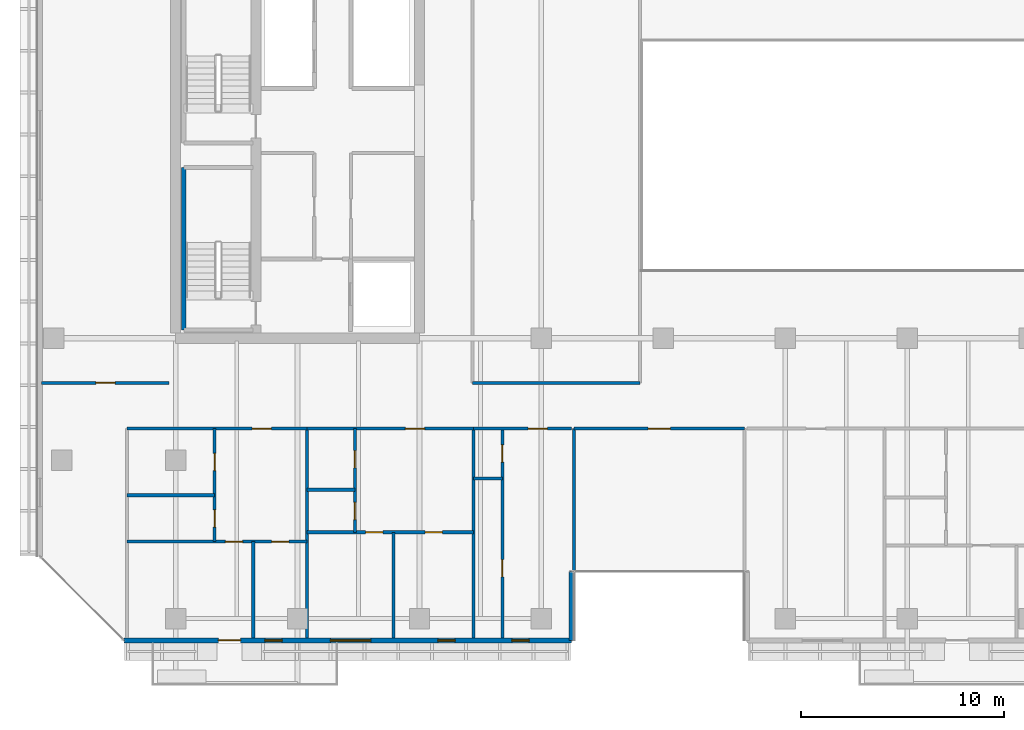
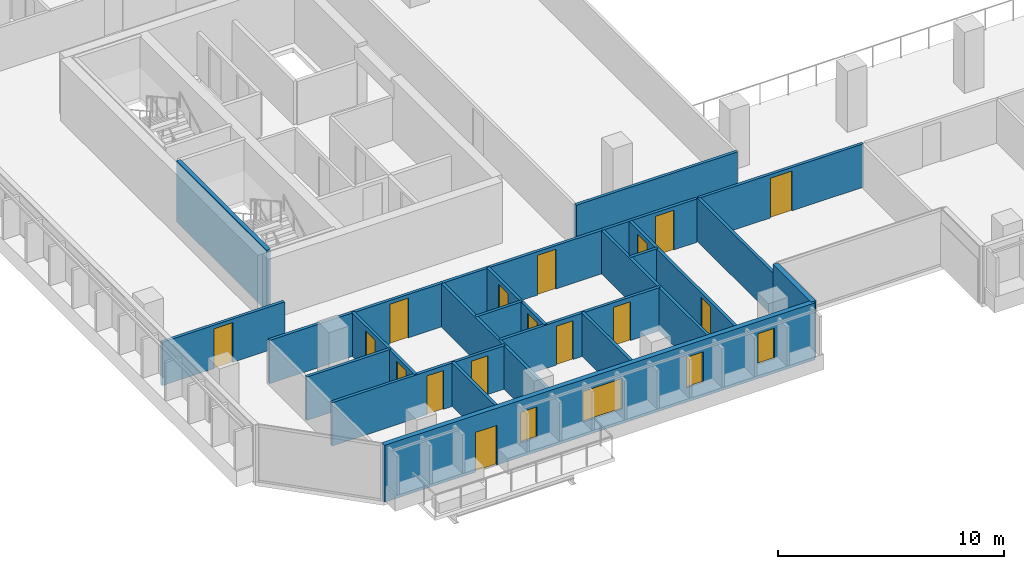
# One storey, part 23 of 35: 22 walls, 16 doors, 4 windows, 20 openings.
"""IFC4 building model written with IfcOpenShell, lengths in metres."""

from ifc_helpers import new_model, si_unit, direction, frame, frame_2d, origin, place, context, subcontext, project, spatial, rectangle, extrude, material, layer, layer_set, type_object, element, fill, save


model = new_model("IFC4")

# Units and contexts
model_context = context("Model", 3, precision=1e-05, world=origin(), true_north=direction((0.0, 1.0)))
body_context = subcontext(model_context, "Body", "Model", "MODEL_VIEW")
ifc_project = project(units=[si_unit("LENGTHUNIT", "METRE"), si_unit("AREAUNIT", "SQUARE_METRE"), si_unit("VOLUMEUNIT", "CUBIC_METRE"), si_unit("PLANEANGLEUNIT", "RADIAN"), si_unit("MASSUNIT", "GRAM", prefix="KILO")], contexts=[model_context])

# Site, building, storey
site_placement = place(None, origin())
site = spatial("IfcSite", under=ifc_project, at=site_placement, CompositionType="ELEMENT")
building_placement = place(site_placement, origin())
building = spatial("IfcBuilding", under=site, at=building_placement, Name="Tanjung Sevakor Pilgrim Tower", CompositionType="ELEMENT")
storey_placement = place(building_placement, frame((0.0, 0.0, 92.070068359375)))
storey = spatial("IfcBuildingStorey", under=building, at=storey_placement, Name="L25", CompositionType="ELEMENT", Elevation=92.070068359375)

# Wall
ifc_material_1 = material(Name="Concrete C40/50", Category="concrete")
ifc_layer_1 = layer(ifc_material_1, 0.14990234375)
ifc_layer_set_1 = layer_set([ifc_layer_1], Name="WT-COMP-150")
wall_type_1 = type_object("IfcWallType", Name="WT-COMP-150", PredefinedType="SOLIDWALL", material=ifc_layer_set_1)
wall_1_placement = place(storey_placement, frame((38.60009765625, 22.39990234375, 0.0), z_axis=(0.0, 0.0, 1.0), x_axis=(1.0, 0.0, 0.0)))
element("IfcWall", 1, at=wall_1_placement, inside=storey, type_object=wall_type_1, Name="L25 Partition IW-L25-021", PredefinedType="SOLIDWALL", context=body_context, shape_type="SweptSolid", body=[
    extrude(rectangle(XDim=8.25, YDim=0.14990234375, at=frame_2d((4.125, 0.0))), origin(), (0.0, 0.0, 1.0), 2.35009765625),
])

# Wall, opening, door
wall_2_placement = place(storey_placement, frame((17.409912109375, 22.39990234375, 0.0), z_axis=(0.0, 0.0, 1.0), x_axis=(1.0, 0.0, 0.0)))
wall_2 = element("IfcWall", 2, at=wall_2_placement, inside=storey, type_object=wall_type_1, Name="L25 Partition IW-L25-029", PredefinedType="SOLIDWALL", context=body_context, shape_type="SweptSolid", body=[
    extrude(rectangle(XDim=6.27001953125, YDim=0.14990234375, at=frame_2d((3.135009765625, 0.0))), origin(), (0.0, 0.0, 1.0), 2.35009765625),
])
opening_1_placement = place(wall_2_placement, frame((2.659912109375, 0.0, 0.0)))
opening_1 = element("IfcOpeningElement", 3, at=opening_1_placement, cuts=wall_2, Name="Opening ID-FD2", PredefinedType="OPENING", context=body_context, shape_type="SweptSolid", body=[
    extrude(rectangle(XDim=0.949951171875, YDim=2.14990234375, at=frame_2d((0.47509765625, 1.074951171875))), frame((0.0, 0.0849609375, 0.0), z_axis=(0.0, -1.0, 0.0), x_axis=(1.0, 0.0, 0.0)), (0.0, 0.0, 1.0), 0.169921875),
])
ifc_material_2 = material(Name="Fire-Rated Timber", Category="wood")
door_type_1 = type_object("IfcDoorType", Name="DT-FIRE-950", OperationType="NOTDEFINED", PredefinedType="DOOR", material=ifc_material_2)
door_1_placement = place(opening_1_placement, origin())
door_1 = element("IfcDoor", 4, at=door_1_placement, inside=storey, type_object=door_type_1, Name="Study Room Entrance", OperationType="SINGLE_SWING_LEFT", OverallHeight=2.14990234375, OverallWidth=0.949951171875, PredefinedType="DOOR", context=body_context, shape_type="SweptSolid", body=[
    extrude(rectangle(XDim=0.949951171875, YDim=2.14990234375, at=frame_2d((0.47509765625, 1.074951171875))), frame((0.0, 0.02490234375, 0.0), z_axis=(0.0, -1.0, 0.0), x_axis=(1.0, 0.0, 0.0)), (0.0, 0.0, 1.0), 0.050048828125),
])
fill(opening_1, door_1)

wall_3_placement = place(storey_placement, frame((43.60009765625, 20.14990234375, 0.0), z_axis=(0.0, 0.0, 1.0), x_axis=(1.0, 0.0, 0.0)))
wall_3 = element("IfcWall", 5, at=wall_3_placement, inside=storey, type_object=wall_type_1, Name="L25 Partition IW-L25-037", PredefinedType="SOLIDWALL", context=body_context, shape_type="SweptSolid", body=[
    extrude(rectangle(XDim=8.39990234375, YDim=0.14990234375, at=frame_2d((4.199951171875, 0.0))), origin(), (0.0, 0.0, 1.0), 2.35009765625),
])
opening_2_placement = place(wall_3_placement, frame((3.64990234375, 0.0, 0.0)))
opening_2 = element("IfcOpeningElement", 6, at=opening_2_placement, cuts=wall_3, Name="Opening ID-RM2", PredefinedType="OPENING", context=body_context, shape_type="SweptSolid", body=[
    extrude(rectangle(XDim=1.10009765625, YDim=2.14990234375, at=frame_2d((0.550048828125, 1.074951171875))), frame((0.0, 0.0849609375, 0.0), z_axis=(0.0, -1.0, 0.0), x_axis=(1.0, 0.0, 0.0)), (0.0, 0.0, 1.0), 0.169921875),
])
ifc_material_3 = material(Name="Hardwood Timber", Category="wood")
door_type_2 = type_object("IfcDoorType", Name="DT-INT-1100", OperationType="NOTDEFINED", PredefinedType="DOOR", material=ifc_material_3)
door_2_placement = place(opening_2_placement, origin())
door_2 = element("IfcDoor", 7, at=door_2_placement, inside=storey, type_object=door_type_2, Name="L25 South Cleft Observatory Door", OperationType="SINGLE_SWING_LEFT", OverallHeight=2.14990234375, OverallWidth=1.10009765625, PredefinedType="DOOR", context=body_context, shape_type="SweptSolid", body=[
    extrude(rectangle(XDim=1.10009765625, YDim=2.14990234375, at=frame_2d((0.550048828125, 1.074951171875))), frame((0.0, 0.02490234375, 0.0), z_axis=(0.0, -1.0, 0.0), x_axis=(1.0, 0.0, 0.0)), (0.0, 0.0, 1.0), 0.050048828125),
])
fill(opening_2, door_2)

# Walls
for number, where, z_axis, x_axis, name in (
    (8, (43.60009765625, 9.85009765625, 0.0), (0.0, 0.0, 1.0), (0.0, 1.0, 0.0), "L25 Partition IW-L25-038"),
    (9, (30.468017578125, 9.85009765625, 0.0), (0.0, 0.0, 1.0), (0.0, 1.0, 0.0), "L25 Partition IW-L25-044"),
):
    element("IfcWall", number, at=place(storey_placement, frame(where, z_axis=z_axis, x_axis=x_axis)), inside=storey, type_object=wall_type_1, Name=name, PredefinedType="SOLIDWALL", context=body_context, shape_type="SweptSolid", body=[
        extrude(rectangle(XDim=10.2998046875, YDim=0.14990234375, at=frame_2d((5.14990234375, 0.0))), origin(), (0.0, 0.0, 1.0), 2.35009765625),
    ])

# Wall, opening, door
wall_4_placement = place(storey_placement, frame((21.60009765625, 20.14990234375, 0.0), z_axis=(0.0, 0.0, 1.0), x_axis=(1.0, 0.0, 0.0)))
wall_4 = element("IfcWall", 10, at=wall_4_placement, inside=storey, type_object=wall_type_1, Name="L25 Partition IW-L25-049", PredefinedType="SOLIDWALL", context=body_context, shape_type="SweptSolid", body=[
    extrude(rectangle(XDim=8.867919921875, YDim=0.14990234375, at=frame_2d((4.43408203125, 0.0))), origin(), (0.0, 0.0, 1.0), 2.35009765625),
])
opening_3_placement = place(wall_4_placement, frame((6.158935546875, 0.0, 0.0)))
opening_3 = element("IfcOpeningElement", 11, at=opening_3_placement, cuts=wall_4, Name="Opening ID-FD2", PredefinedType="OPENING", context=body_context, shape_type="SweptSolid", body=[
    extrude(rectangle(XDim=0.949951171875, YDim=2.14990234375, at=frame_2d((0.47509765625, 1.074951171875))), frame((0.0, 0.0849609375, 0.0), z_axis=(0.0, -1.0, 0.0), x_axis=(1.0, 0.0, 0.0)), (0.0, 0.0, 1.0), 0.169921875),
])
door_3_placement = place(opening_3_placement, origin())
door_3 = element("IfcDoor", 12, at=door_3_placement, inside=storey, type_object=door_type_1, Name="Suite Entrance", OperationType="SINGLE_SWING_LEFT", OverallHeight=2.14990234375, OverallWidth=0.949951171875, PredefinedType="DOOR", context=body_context, shape_type="SweptSolid", body=[
    extrude(rectangle(XDim=0.949951171875, YDim=2.14990234375, at=frame_2d((0.47509765625, 1.074951171875))), frame((0.0, 0.02490234375, 0.0), z_axis=(0.0, -1.0, 0.0), x_axis=(1.0, 0.0, 0.0)), (0.0, 0.0, 1.0), 0.050048828125),
])
fill(opening_3, door_3)

# Wall
wall_5_placement = place(storey_placement, frame((38.667236328125, 9.85009765625, 0.0), z_axis=(0.0, 0.0, 1.0), x_axis=(0.0, 1.0, 0.0)))
element("IfcWall", 13, at=wall_5_placement, inside=storey, type_object=wall_type_1, Name="L25 Partition IW-L25-050", PredefinedType="SOLIDWALL", context=body_context, shape_type="SweptSolid", body=[
    extrude(rectangle(XDim=10.2998046875, YDim=0.14990234375, at=frame_2d((5.14990234375, 0.0))), origin(), (0.0, 0.0, 1.0), 2.35009765625),
])

# Wall, opening, door
wall_6_placement = place(storey_placement, frame((30.468017578125, 20.14990234375, 0.0), z_axis=(0.0, 0.0, 1.0), x_axis=(1.0, 0.0, 0.0)))
wall_6 = element("IfcWall", 14, at=wall_6_placement, inside=storey, type_object=wall_type_1, Name="L25 Partition IW-L25-055", PredefinedType="SOLIDWALL", context=body_context, shape_type="SweptSolid", body=[
    extrude(rectangle(XDim=8.19921875, YDim=0.14990234375, at=frame_2d((4.099609375, 0.0))), origin(), (0.0, 0.0, 1.0), 2.35009765625),
])
opening_4_placement = place(wall_6_placement, frame((4.839599609375, 0.0, 0.0)))
opening_4 = element("IfcOpeningElement", 15, at=opening_4_placement, cuts=wall_6, Name="Opening ID-FD2", PredefinedType="OPENING", context=body_context, shape_type="SweptSolid", body=[
    extrude(rectangle(XDim=0.949951171875, YDim=2.14990234375, at=frame_2d((0.47509765625, 1.074951171875))), frame((0.0, 0.0849609375, 0.0), z_axis=(0.0, -1.0, 0.0), x_axis=(1.0, 0.0, 0.0)), (0.0, 0.0, 1.0), 0.169921875),
])
door_4_placement = place(opening_4_placement, origin())
door_4 = element("IfcDoor", 16, at=door_4_placement, inside=storey, type_object=door_type_1, Name="Suite Entrance", OperationType="SINGLE_SWING_RIGHT", OverallHeight=2.14990234375, OverallWidth=0.949951171875, PredefinedType="DOOR", context=body_context, shape_type="SweptSolid", body=[
    extrude(rectangle(XDim=0.949951171875, YDim=2.14990234375, at=frame_2d((0.47509765625, 1.074951171875))), frame((0.0, 0.02490234375, 0.0), z_axis=(0.0, -1.0, 0.0), x_axis=(1.0, 0.0, 0.0)), (0.0, 0.0, 1.0), 0.050048828125),
])
fill(opening_4, door_4)

wall_7_placement = place(storey_placement, frame((38.667236328125, 20.14990234375, 0.0), z_axis=(0.0, 0.0, 1.0), x_axis=(1.0, 0.0, 0.0)))
wall_7 = element("IfcWall", 17, at=wall_7_placement, inside=storey, type_object=wall_type_1, Name="L25 Partition IW-L25-058", PredefinedType="SOLIDWALL", context=body_context, shape_type="SweptSolid", body=[
    extrude(rectangle(XDim=4.812744140625, YDim=0.14990234375, at=frame_2d((2.40625, 0.0))), origin(), (0.0, 0.0, 1.0), 2.35009765625),
])
opening_5_placement = place(wall_7_placement, frame((2.677734375, 0.0, 0.0)))
opening_5 = element("IfcOpeningElement", 18, at=opening_5_placement, cuts=wall_7, Name="Opening ID-FD2", PredefinedType="OPENING", context=body_context, shape_type="SweptSolid", body=[
    extrude(rectangle(XDim=0.949951171875, YDim=2.14990234375, at=frame_2d((0.47509765625, 1.074951171875))), frame((0.0, 0.0849609375, 0.0), z_axis=(0.0, -1.0, 0.0), x_axis=(1.0, 0.0, 0.0)), (0.0, 0.0, 1.0), 0.169921875),
])
door_5_placement = place(opening_5_placement, origin())
door_5 = element("IfcDoor", 19, at=door_5_placement, inside=storey, type_object=door_type_1, Name="Hotel Guestroom Entrance", OperationType="SINGLE_SWING_LEFT", OverallHeight=2.14990234375, OverallWidth=0.949951171875, PredefinedType="DOOR", context=body_context, shape_type="SweptSolid", body=[
    extrude(rectangle(XDim=0.949951171875, YDim=2.14990234375, at=frame_2d((0.47509765625, 1.074951171875))), frame((0.0, 0.02490234375, 0.0), z_axis=(0.0, -1.0, 0.0), x_axis=(1.0, 0.0, 0.0)), (0.0, 0.0, 1.0), 0.050048828125),
])
fill(opening_5, door_5)

# Wall, openings, door, windows
ifc_material_4 = material(Name="Precast concrete C45/55", Category="concrete")
ifc_layer_2 = layer(ifc_material_4, 0.25)
ifc_layer_set_2 = layer_set([ifc_layer_2], Name="WT-EW-STN3")
wall_type_2 = type_object("IfcWallType", Name="WT-EW-STN3", PredefinedType="SOLIDWALL", material=ifc_layer_set_2)
wall_8_placement = place(storey_placement, frame((21.451904296875, 9.72509765625, 0.0), z_axis=(0.0, 0.0, 1.0), x_axis=(1.0, 0.0, 0.0)))
wall_8 = element("IfcWall", 20, at=wall_8_placement, inside=storey, type_object=wall_type_2, Name="L25 MAIN Exterior Wall 1", PredefinedType="SOLIDWALL", context=body_context, shape_type="SweptSolid", body=[
    extrude(rectangle(XDim=22.023193359375, YDim=0.25, at=frame_2d((11.01171875, 0.0))), origin(), (0.0, 0.0, 1.0), 3.080078125),
])
opening_6_placement = place(wall_8_placement, frame((4.648193359375, 0.0, 0.0)))
opening_6 = element("IfcOpeningElement", 21, at=opening_6_placement, cuts=wall_8, Name="Opening ED-BAL-1100", PredefinedType="OPENING", context=body_context, shape_type="SweptSolid", body=[
    extrude(rectangle(XDim=1.10009765625, YDim=2.14990234375, at=frame_2d((0.550048828125, 1.074951171875))), frame((0.0, 0.135009765625, 0.0), z_axis=(0.0, -1.0, 0.0), x_axis=(1.0, 0.0, 0.0)), (0.0, 0.0, 1.0), 0.27001953125),
])
opening_7_placement = place(wall_8_placement, frame((6.93701171875, 0.0, 0.780029296875)))
opening_7 = element("IfcOpeningElement", 22, at=opening_7_placement, cuts=wall_8, Name="Opening WN-SLM", PredefinedType="OPENING", context=body_context, shape_type="SweptSolid", body=[
    extrude(rectangle(XDim=0.85009765625, YDim=1.64990234375, at=frame_2d((0.425048828125, 0.824951171875))), frame((0.0, 0.135009765625, 0.0), z_axis=(0.0, -1.0, 0.0), x_axis=(1.0, 0.0, 0.0)), (0.0, 0.0, 1.0), 0.27001953125),
])
opening_8_placement = place(wall_8_placement, frame((10.157958984375, 0.0, 0.780029296875)))
opening_8 = element("IfcOpeningElement", 23, at=opening_8_placement, cuts=wall_8, Name="Opening WN-Z2-1660", PredefinedType="OPENING", context=body_context, shape_type="SweptSolid", body=[
    extrude(rectangle(XDim=2.0, YDim=1.659912109375, at=frame_2d((1.0, 0.830078125))), frame((0.0, 0.135009765625, 0.0), z_axis=(0.0, -1.0, 0.0), x_axis=(1.0, 0.0, 0.0)), (0.0, 0.0, 1.0), 0.27001953125),
])
opening_9_placement = place(wall_8_placement, frame((15.45263671875, 0.0, 0.780029296875)))
opening_9 = element("IfcOpeningElement", 24, at=opening_9_placement, cuts=wall_8, Name="Opening WN-SLM", PredefinedType="OPENING", context=body_context, shape_type="SweptSolid", body=[
    extrude(rectangle(XDim=0.85009765625, YDim=1.64990234375, at=frame_2d((0.425048828125, 0.824951171875))), frame((0.0, 0.135009765625, 0.0), z_axis=(0.0, -1.0, 0.0), x_axis=(1.0, 0.0, 0.0)), (0.0, 0.0, 1.0), 0.27001953125),
])
opening_10_placement = place(wall_8_placement, frame((19.09326171875, 0.0, 0.780029296875)))
opening_10 = element("IfcOpeningElement", 25, at=opening_10_placement, cuts=wall_8, Name="Opening WN-SLM", PredefinedType="OPENING", context=body_context, shape_type="SweptSolid", body=[
    extrude(rectangle(XDim=0.85009765625, YDim=1.64990234375, at=frame_2d((0.425048828125, 0.824951171875))), frame((0.0, 0.135009765625, 0.0), z_axis=(0.0, -1.0, 0.0), x_axis=(1.0, 0.0, 0.0)), (0.0, 0.0, 1.0), 0.27001953125),
])
ifc_material_5 = material(Name="Anodised Aluminium and Laminated Glass", Category="aluminium")
door_type_3 = type_object("IfcDoorType", Name="DTYP-ED-BAL-1100", OperationType="NOTDEFINED", PredefinedType="DOOR", material=ifc_material_5)
door_6_placement = place(opening_6_placement, frame((1.10009765625, 0.0, 0.0), z_axis=(0.0, 0.0, 1.0), x_axis=(-1.0, 0.0, 0.0)))
door_6 = element("IfcDoor", 26, at=door_6_placement, inside=storey, type_object=door_type_3, Name="L25 Balcony Door MAIN-S1", OperationType="SINGLE_SWING_RIGHT", OverallHeight=2.14990234375, OverallWidth=1.10009765625, PredefinedType="DOOR", context=body_context, shape_type="SweptSolid", body=[
    extrude(rectangle(XDim=1.10009765625, YDim=2.14990234375, at=frame_2d((0.550048828125, 1.074951171875))), frame((0.0, 0.02490234375, 0.0), z_axis=(0.0, -1.0, 0.0), x_axis=(1.0, 0.0, 0.0)), (0.0, 0.0, 1.0), 0.050048828125),
])
fill(opening_6, door_6)
ifc_material_6 = material(Name="Thermally Broken Aluminium and Low-E Glass", Category="aluminium")
window_type_1 = type_object("IfcWindowType", Name="WTYP-WN-SLM", PartitioningType="SINGLE_PANEL", PredefinedType="WINDOW", material=ifc_material_6)
window_1_placement = place(opening_7_placement, origin())
window_1 = element("IfcWindow", 27, at=window_1_placement, inside=storey, type_object=window_type_1, Name="L25 Facade Window 01", OverallHeight=1.64990234375, OverallWidth=0.85009765625, PartitioningType="SINGLE_PANEL", PredefinedType="WINDOW", context=body_context, shape_type="SweptSolid", body=[
    extrude(rectangle(XDim=0.85009765625, YDim=1.64990234375, at=frame_2d((0.425048828125, 0.824951171875))), frame((0.0, 0.030029296875, 0.0), z_axis=(0.0, -1.0, 0.0), x_axis=(1.0, 0.0, 0.0)), (0.0, 0.0, 1.0), 0.06005859375),
])
fill(opening_7, window_1)
window_2_placement = place(opening_9_placement, origin())
window_2 = element("IfcWindow", 28, at=window_2_placement, inside=storey, type_object=window_type_1, Name="L25 Facade Window 03", OverallHeight=1.64990234375, OverallWidth=0.85009765625, PartitioningType="SINGLE_PANEL", PredefinedType="WINDOW", context=body_context, shape_type="SweptSolid", body=[
    extrude(rectangle(XDim=0.85009765625, YDim=1.64990234375, at=frame_2d((0.425048828125, 0.824951171875))), frame((0.0, 0.030029296875, 0.0), z_axis=(0.0, -1.0, 0.0), x_axis=(1.0, 0.0, 0.0)), (0.0, 0.0, 1.0), 0.06005859375),
])
fill(opening_9, window_2)
window_3_placement = place(opening_10_placement, origin())
window_3 = element("IfcWindow", 29, at=window_3_placement, inside=storey, type_object=window_type_1, Name="L25 Facade Window 04", OverallHeight=1.64990234375, OverallWidth=0.85009765625, PartitioningType="SINGLE_PANEL", PredefinedType="WINDOW", context=body_context, shape_type="SweptSolid", body=[
    extrude(rectangle(XDim=0.85009765625, YDim=1.64990234375, at=frame_2d((0.425048828125, 0.824951171875))), frame((0.0, 0.030029296875, 0.0), z_axis=(0.0, -1.0, 0.0), x_axis=(1.0, 0.0, 0.0)), (0.0, 0.0, 1.0), 0.06005859375),
])
fill(opening_10, window_3)
ifc_material_7 = material(Name="Thermally Broken Aluminium and Low-E Glass", Category="aluminium")
window_type_2 = type_object("IfcWindowType", Name="WTYP-WN-Z2-1660", PartitioningType="DOUBLE_PANEL_VERTICAL", PredefinedType="WINDOW", material=ifc_material_7)
window_4_placement = place(opening_8_placement, origin())
window_4 = element("IfcWindow", 30, at=window_4_placement, inside=storey, type_object=window_type_2, Name="L25 Facade Window 02", OverallHeight=1.659912109375, OverallWidth=2.0, PartitioningType="SINGLE_PANEL", PredefinedType="WINDOW", context=body_context, shape_type="SweptSolid", body=[
    extrude(rectangle(XDim=2.0, YDim=1.659912109375, at=frame_2d((1.0, 0.830078125))), frame((0.0, 0.030029296875, 0.0), z_axis=(0.0, -1.0, 0.0), x_axis=(1.0, 0.0, 0.0)), (0.0, 0.0, 1.0), 0.06005859375),
])
fill(opening_8, window_4)

# Walls
wall_9_placement = place(storey_placement, frame((43.47509765625, 9.72509765625, 0.0), z_axis=(0.0, 0.0, 1.0), x_axis=(0.0, 1.0, 0.0)))
element("IfcWall", 31, at=wall_9_placement, inside=storey, type_object=wall_type_2, Name="L25 MAIN Exterior Wall 2", PredefinedType="SOLIDWALL", context=body_context, shape_type="SweptSolid", body=[
    extrude(rectangle(XDim=3.39990234375, YDim=0.25, at=frame_2d((1.699951171875, 0.0))), origin(), (0.0, 0.0, 1.0), 3.080078125),
])
ifc_material_8 = material(Name="Concrete C40/50", Category="concrete")
ifc_layer_3 = layer(ifc_material_8, 0.199951171875)
ifc_layer_set_3 = layer_set([ifc_layer_3], Name="WT-FIRE-200")
wall_type_3 = type_object("IfcWallType", Name="WT-FIRE-200", PredefinedType="SOLIDWALL", material=ifc_layer_set_3)
wall_10_placement = place(storey_placement, frame((24.39990234375, 33.0, 0.0), z_axis=(0.0, 0.0, 1.0), x_axis=(0.0, -1.0, 0.0)))
element("IfcWall", 32, at=wall_10_placement, inside=storey, type_object=wall_type_3, Name="L25 TS-W1 Shaft Wall 3", PredefinedType="SOLIDWALL", context=body_context, shape_type="SweptSolid", body=[
    extrude(rectangle(XDim=8.0, YDim=0.199951171875, at=frame_2d((4.0, 0.0))), origin(), (0.0, 0.0, 1.0), 3.300048828125),
])
ifc_material_9 = material(Name="Gypsum Board Partition", Category="gypsum board")
ifc_layer_4 = layer(ifc_material_9, 0.14990234375)
ifc_layer_set_4 = layer_set([ifc_layer_4], Name="WT-PART-150")
wall_type_4 = type_object("IfcWallType", Name="WT-PART-150", PredefinedType="PARTITIONING", material=ifc_layer_set_4)
wall_11_placement = place(storey_placement, frame((21.60009765625, 16.871337890625, 0.0), z_axis=(0.0, 0.0, 1.0), x_axis=(1.0, 0.0, 0.0)))
element("IfcWall", 33, at=wall_11_placement, inside=storey, type_object=wall_type_4, Name="L25 Partition IW-L25-045", PredefinedType="PARTITIONING", context=body_context, shape_type="SweptSolid", body=[
    extrude(rectangle(XDim=4.31982421875, YDim=0.14990234375, at=frame_2d((2.159912109375, 0.0))), origin(), (0.0, 0.0, 1.0), 2.35009765625),
])

# Wall, openings, doors
wall_12_placement = place(storey_placement, frame((25.919921875, 14.5927734375, 0.0), z_axis=(0.0, 0.0, 1.0), x_axis=(0.0, 1.0, 0.0)))
wall_12 = element("IfcWall", 34, at=wall_12_placement, inside=storey, type_object=wall_type_4, Name="L25 Partition IW-L25-046", PredefinedType="PARTITIONING", context=body_context, shape_type="SweptSolid", body=[
    extrude(rectangle(XDim=5.55712890625, YDim=0.14990234375, at=frame_2d((2.778564453125, 0.0))), origin(), (0.0, 0.0, 1.0), 2.35009765625),
])
opening_11_placement = place(wall_12_placement, frame((0.71435546875, 0.0, 0.0)))
opening_11 = element("IfcOpeningElement", 35, at=opening_11_placement, cuts=wall_12, Name="Opening ID-WC1", PredefinedType="OPENING", context=body_context, shape_type="SweptSolid", body=[
    extrude(rectangle(XDim=0.85009765625, YDim=2.10009765625, at=frame_2d((0.425048828125, 1.050048828125))), frame((0.0, 0.0849609375, 0.0), z_axis=(0.0, -1.0, 0.0), x_axis=(1.0, 0.0, 0.0)), (0.0, 0.0, 1.0), 0.169921875),
])
opening_12_placement = place(wall_12_placement, frame((3.492919921875, 0.0, 0.0)))
opening_12 = element("IfcOpeningElement", 36, at=opening_12_placement, cuts=wall_12, Name="Opening ID-WC1", PredefinedType="OPENING", context=body_context, shape_type="SweptSolid", body=[
    extrude(rectangle(XDim=0.85009765625, YDim=2.10009765625, at=frame_2d((0.425048828125, 1.050048828125))), frame((0.0, 0.0849609375, 0.0), z_axis=(0.0, -1.0, 0.0), x_axis=(1.0, 0.0, 0.0)), (0.0, 0.0, 1.0), 0.169921875),
])
ifc_material_10 = material(Name="Moisture-Resistant Timber", Category="wood")
door_type_4 = type_object("IfcDoorType", Name="DT-INT-850", OperationType="NOTDEFINED", PredefinedType="DOOR", material=ifc_material_10)
door_7_placement = place(opening_11_placement, origin())
door_7 = element("IfcDoor", 37, at=door_7_placement, inside=storey, type_object=door_type_4, Name="Suite Bathroom Door", OperationType="SINGLE_SWING_LEFT", OverallHeight=2.10009765625, OverallWidth=0.85009765625, PredefinedType="DOOR", context=body_context, shape_type="SweptSolid", body=[
    extrude(rectangle(XDim=0.85009765625, YDim=2.10009765625, at=frame_2d((0.425048828125, 1.050048828125))), frame((0.0, 0.02490234375, 0.0), z_axis=(0.0, -1.0, 0.0), x_axis=(1.0, 0.0, 0.0)), (0.0, 0.0, 1.0), 0.050048828125),
])
fill(opening_11, door_7)
door_8_placement = place(opening_12_placement, origin())
door_8 = element("IfcDoor", 38, at=door_8_placement, inside=storey, type_object=door_type_4, Name="Suite Kitchenette Door", OperationType="SINGLE_SWING_RIGHT", OverallHeight=2.10009765625, OverallWidth=0.85009765625, PredefinedType="DOOR", context=body_context, shape_type="SweptSolid", body=[
    extrude(rectangle(XDim=0.85009765625, YDim=2.10009765625, at=frame_2d((0.425048828125, 1.050048828125))), frame((0.0, 0.02490234375, 0.0), z_axis=(0.0, -1.0, 0.0), x_axis=(1.0, 0.0, 0.0)), (0.0, 0.0, 1.0), 0.050048828125),
])
fill(opening_12, door_8)

# Wall
wall_13_placement = place(storey_placement, frame((27.820068359375, 9.85009765625, 0.0), z_axis=(0.0, 0.0, 1.0), x_axis=(0.0, 1.0, 0.0)))
element("IfcWall", 39, at=wall_13_placement, inside=storey, type_object=wall_type_4, Name="L25 Partition IW-L25-047", PredefinedType="PARTITIONING", context=body_context, shape_type="SweptSolid", body=[
    extrude(rectangle(XDim=4.74267578125, YDim=0.14990234375, at=frame_2d((2.371337890625, 0.0))), origin(), (0.0, 0.0, 1.0), 2.35009765625),
])

# Wall, openings, doors
wall_14_placement = place(storey_placement, frame((21.60009765625, 14.5927734375, 0.0), z_axis=(0.0, 0.0, 1.0), x_axis=(1.0, 0.0, 0.0)))
wall_14 = element("IfcWall", 40, at=wall_14_placement, inside=storey, type_object=wall_type_4, Name="L25 Partition IW-L25-048", PredefinedType="PARTITIONING", context=body_context, shape_type="SweptSolid", body=[
    extrude(rectangle(XDim=8.867919921875, YDim=0.14990234375, at=frame_2d((4.43408203125, 0.0))), origin(), (0.0, 0.0, 1.0), 2.35009765625),
])
opening_13_placement = place(wall_14_placement, frame((4.844970703125, 0.0, 0.0)))
opening_13 = element("IfcOpeningElement", 41, at=opening_13_placement, cuts=wall_14, Name="Opening ID-WC1", PredefinedType="OPENING", context=body_context, shape_type="SweptSolid", body=[
    extrude(rectangle(XDim=0.85009765625, YDim=2.10009765625, at=frame_2d((0.425048828125, 1.050048828125))), frame((0.0, 0.0849609375, 0.0), z_axis=(0.0, -1.0, 0.0), x_axis=(1.0, 0.0, 0.0)), (0.0, 0.0, 1.0), 0.169921875),
])
opening_14_placement = place(wall_14_placement, frame((7.118896484375, 0.0, 0.0)))
opening_14 = element("IfcOpeningElement", 42, at=opening_14_placement, cuts=wall_14, Name="Opening ID-WC1", PredefinedType="OPENING", context=body_context, shape_type="SweptSolid", body=[
    extrude(rectangle(XDim=0.85009765625, YDim=2.10009765625, at=frame_2d((0.425048828125, 1.050048828125))), frame((0.0, 0.0849609375, 0.0), z_axis=(0.0, -1.0, 0.0), x_axis=(1.0, 0.0, 0.0)), (0.0, 0.0, 1.0), 0.169921875),
])
door_9_placement = place(opening_13_placement, origin())
door_9 = element("IfcDoor", 43, at=door_9_placement, inside=storey, type_object=door_type_4, Name="Suite Bedroom 1 Door", OperationType="SINGLE_SWING_LEFT", OverallHeight=2.10009765625, OverallWidth=0.85009765625, PredefinedType="DOOR", context=body_context, shape_type="SweptSolid", body=[
    extrude(rectangle(XDim=0.85009765625, YDim=2.10009765625, at=frame_2d((0.425048828125, 1.050048828125))), frame((0.0, 0.02490234375, 0.0), z_axis=(0.0, -1.0, 0.0), x_axis=(1.0, 0.0, 0.0)), (0.0, 0.0, 1.0), 0.050048828125),
])
fill(opening_13, door_9)
door_10_placement = place(opening_14_placement, origin())
door_10 = element("IfcDoor", 44, at=door_10_placement, inside=storey, type_object=door_type_4, Name="Suite Bedroom 2 Door", OperationType="SINGLE_SWING_RIGHT", OverallHeight=2.10009765625, OverallWidth=0.85009765625, PredefinedType="DOOR", context=body_context, shape_type="SweptSolid", body=[
    extrude(rectangle(XDim=0.85009765625, YDim=2.10009765625, at=frame_2d((0.425048828125, 1.050048828125))), frame((0.0, 0.02490234375, 0.0), z_axis=(0.0, -1.0, 0.0), x_axis=(1.0, 0.0, 0.0)), (0.0, 0.0, 1.0), 0.050048828125),
])
fill(opening_14, door_10)

# Wall
wall_15_placement = place(storey_placement, frame((30.468017578125, 17.14111328125, 0.0), z_axis=(0.0, 0.0, 1.0), x_axis=(1.0, 0.0, 0.0)))
element("IfcWall", 45, at=wall_15_placement, inside=storey, type_object=wall_type_4, Name="L25 Partition IW-L25-051", PredefinedType="PARTITIONING", context=body_context, shape_type="SweptSolid", body=[
    extrude(rectangle(XDim=2.349853515625, YDim=0.14990234375, at=frame_2d((1.1748046875, 0.0))), origin(), (0.0, 0.0, 1.0), 2.35009765625),
])

# Wall, openings, doors
wall_16_placement = place(storey_placement, frame((32.81787109375, 15.050048828125, 0.0), z_axis=(0.0, 0.0, 1.0), x_axis=(0.0, 1.0, 0.0)))
wall_16 = element("IfcWall", 46, at=wall_16_placement, inside=storey, type_object=wall_type_4, Name="L25 Partition IW-L25-052", PredefinedType="PARTITIONING", context=body_context, shape_type="SweptSolid", body=[
    extrude(rectangle(XDim=5.099853515625, YDim=0.14990234375, at=frame_2d((2.5498046875, 0.0))), origin(), (0.0, 0.0, 1.0), 2.35009765625),
])
opening_15_placement = place(wall_16_placement, frame((0.62060546875, 0.0, 0.0)))
opening_15 = element("IfcOpeningElement", 47, at=opening_15_placement, cuts=wall_16, Name="Opening ID-WC1", PredefinedType="OPENING", context=body_context, shape_type="SweptSolid", body=[
    extrude(rectangle(XDim=0.85009765625, YDim=2.10009765625, at=frame_2d((0.425048828125, 1.050048828125))), frame((0.0, 0.0849609375, 0.0), z_axis=(0.0, -1.0, 0.0), x_axis=(1.0, 0.0, 0.0)), (0.0, 0.0, 1.0), 0.169921875),
])
opening_16_placement = place(wall_16_placement, frame((3.17041015625, 0.0, 0.0)))
opening_16 = element("IfcOpeningElement", 48, at=opening_16_placement, cuts=wall_16, Name="Opening ID-WC1", PredefinedType="OPENING", context=body_context, shape_type="SweptSolid", body=[
    extrude(rectangle(XDim=0.85009765625, YDim=2.10009765625, at=frame_2d((0.425048828125, 1.050048828125))), frame((0.0, 0.0849609375, 0.0), z_axis=(0.0, -1.0, 0.0), x_axis=(1.0, 0.0, 0.0)), (0.0, 0.0, 1.0), 0.169921875),
])
door_11_placement = place(opening_15_placement, origin())
door_11 = element("IfcDoor", 49, at=door_11_placement, inside=storey, type_object=door_type_4, Name="Suite Bathroom Door", OperationType="SINGLE_SWING_RIGHT", OverallHeight=2.10009765625, OverallWidth=0.85009765625, PredefinedType="DOOR", context=body_context, shape_type="SweptSolid", body=[
    extrude(rectangle(XDim=0.85009765625, YDim=2.10009765625, at=frame_2d((0.425048828125, 1.050048828125))), frame((0.0, 0.02490234375, 0.0), z_axis=(0.0, -1.0, 0.0), x_axis=(1.0, 0.0, 0.0)), (0.0, 0.0, 1.0), 0.050048828125),
])
fill(opening_15, door_11)
door_12_placement = place(opening_16_placement, origin())
door_12 = element("IfcDoor", 50, at=door_12_placement, inside=storey, type_object=door_type_4, Name="Suite Kitchenette Door", OperationType="SINGLE_SWING_LEFT", OverallHeight=2.10009765625, OverallWidth=0.85009765625, PredefinedType="DOOR", context=body_context, shape_type="SweptSolid", body=[
    extrude(rectangle(XDim=0.85009765625, YDim=2.10009765625, at=frame_2d((0.425048828125, 1.050048828125))), frame((0.0, 0.02490234375, 0.0), z_axis=(0.0, -1.0, 0.0), x_axis=(1.0, 0.0, 0.0)), (0.0, 0.0, 1.0), 0.050048828125),
])
fill(opening_16, door_12)

# Wall
wall_17_placement = place(storey_placement, frame((34.731689453125, 9.85009765625, 0.0), z_axis=(0.0, 0.0, 1.0), x_axis=(0.0, 1.0, 0.0)))
element("IfcWall", 51, at=wall_17_placement, inside=storey, type_object=wall_type_4, Name="L25 Partition IW-L25-053", PredefinedType="PARTITIONING", context=body_context, shape_type="SweptSolid", body=[
    extrude(rectangle(XDim=5.199951171875, YDim=0.14990234375, at=frame_2d((2.60009765625, 0.0))), origin(), (0.0, 0.0, 1.0), 2.35009765625),
])

# Wall, openings, doors
wall_18_placement = place(storey_placement, frame((30.468017578125, 15.050048828125, 0.0), z_axis=(0.0, 0.0, 1.0), x_axis=(1.0, 0.0, 0.0)))
wall_18 = element("IfcWall", 52, at=wall_18_placement, inside=storey, type_object=wall_type_4, Name="L25 Partition IW-L25-054", PredefinedType="PARTITIONING", context=body_context, shape_type="SweptSolid", body=[
    extrude(rectangle(XDim=8.19921875, YDim=0.14990234375, at=frame_2d((4.099609375, 0.0))), origin(), (0.0, 0.0, 1.0), 2.35009765625),
])
opening_17_placement = place(wall_18_placement, frame((2.8818359375, 0.0, 0.0)))
opening_17 = element("IfcOpeningElement", 53, at=opening_17_placement, cuts=wall_18, Name="Opening ID-WC1", PredefinedType="OPENING", context=body_context, shape_type="SweptSolid", body=[
    extrude(rectangle(XDim=0.85009765625, YDim=2.10009765625, at=frame_2d((0.425048828125, 1.050048828125))), frame((0.0, 0.0849609375, 0.0), z_axis=(0.0, -1.0, 0.0), x_axis=(1.0, 0.0, 0.0)), (0.0, 0.0, 1.0), 0.169921875),
])
opening_18_placement = place(wall_18_placement, frame((5.806396484375, 0.0, 0.0)))
opening_18 = element("IfcOpeningElement", 54, at=opening_18_placement, cuts=wall_18, Name="Opening ID-WC1", PredefinedType="OPENING", context=body_context, shape_type="SweptSolid", body=[
    extrude(rectangle(XDim=0.85009765625, YDim=2.10009765625, at=frame_2d((0.425048828125, 1.050048828125))), frame((0.0, 0.0849609375, 0.0), z_axis=(0.0, -1.0, 0.0), x_axis=(1.0, 0.0, 0.0)), (0.0, 0.0, 1.0), 0.169921875),
])
door_13_placement = place(opening_17_placement, origin())
door_13 = element("IfcDoor", 55, at=door_13_placement, inside=storey, type_object=door_type_4, Name="Suite Bedroom 1 Door", OperationType="SINGLE_SWING_RIGHT", OverallHeight=2.10009765625, OverallWidth=0.85009765625, PredefinedType="DOOR", context=body_context, shape_type="SweptSolid", body=[
    extrude(rectangle(XDim=0.85009765625, YDim=2.10009765625, at=frame_2d((0.425048828125, 1.050048828125))), frame((0.0, 0.02490234375, 0.0), z_axis=(0.0, -1.0, 0.0), x_axis=(1.0, 0.0, 0.0)), (0.0, 0.0, 1.0), 0.050048828125),
])
fill(opening_17, door_13)
door_14_placement = place(opening_18_placement, origin())
door_14 = element("IfcDoor", 56, at=door_14_placement, inside=storey, type_object=door_type_4, Name="Suite Bedroom 2 Door", OperationType="SINGLE_SWING_LEFT", OverallHeight=2.10009765625, OverallWidth=0.85009765625, PredefinedType="DOOR", context=body_context, shape_type="SweptSolid", body=[
    extrude(rectangle(XDim=0.85009765625, YDim=2.10009765625, at=frame_2d((0.425048828125, 1.050048828125))), frame((0.0, 0.02490234375, 0.0), z_axis=(0.0, -1.0, 0.0), x_axis=(1.0, 0.0, 0.0)), (0.0, 0.0, 1.0), 0.050048828125),
])
fill(opening_18, door_14)

# Wall
wall_19_placement = place(storey_placement, frame((38.667236328125, 17.699951171875, 0.0), z_axis=(0.0, 0.0, 1.0), x_axis=(1.0, 0.0, 0.0)))
element("IfcWall", 57, at=wall_19_placement, inside=storey, type_object=wall_type_4, Name="L25 Partition IW-L25-056", PredefinedType="PARTITIONING", context=body_context, shape_type="SweptSolid", body=[
    extrude(rectangle(XDim=1.412841796875, YDim=0.14990234375, at=frame_2d((0.70654296875, 0.0))), origin(), (0.0, 0.0, 1.0), 2.35009765625),
])

# Wall, openings, doors
wall_20_placement = place(storey_placement, frame((40.080078125, 9.85009765625, 0.0), z_axis=(0.0, 0.0, 1.0), x_axis=(0.0, 1.0, 0.0)))
wall_20 = element("IfcWall", 58, at=wall_20_placement, inside=storey, type_object=wall_type_4, Name="L25 Partition IW-L25-057", PredefinedType="PARTITIONING", context=body_context, shape_type="SweptSolid", body=[
    extrude(rectangle(XDim=10.2998046875, YDim=0.14990234375, at=frame_2d((5.14990234375, 0.0))), origin(), (0.0, 0.0, 1.0), 2.35009765625),
])
opening_19_placement = place(wall_20_placement, frame((3.0, 0.0, 0.0)))
opening_19 = element("IfcOpeningElement", 59, at=opening_19_placement, cuts=wall_20, Name="Opening ID-WC1", PredefinedType="OPENING", context=body_context, shape_type="SweptSolid", body=[
    extrude(rectangle(XDim=0.85009765625, YDim=2.10009765625, at=frame_2d((0.425048828125, 1.050048828125))), frame((0.0, 0.0849609375, 0.0), z_axis=(0.0, -1.0, 0.0), x_axis=(1.0, 0.0, 0.0)), (0.0, 0.0, 1.0), 0.169921875),
])
opening_20_placement = place(wall_20_placement, frame((8.64990234375, 0.0, 0.0)))
opening_20 = element("IfcOpeningElement", 60, at=opening_20_placement, cuts=wall_20, Name="Opening ID-WC1", PredefinedType="OPENING", context=body_context, shape_type="SweptSolid", body=[
    extrude(rectangle(XDim=0.85009765625, YDim=2.10009765625, at=frame_2d((0.425048828125, 1.050048828125))), frame((0.0, 0.0849609375, 0.0), z_axis=(0.0, -1.0, 0.0), x_axis=(1.0, 0.0, 0.0)), (0.0, 0.0, 1.0), 0.169921875),
])
door_15_placement = place(opening_19_placement, origin())
door_15 = element("IfcDoor", 61, at=door_15_placement, inside=storey, type_object=door_type_4, Name="Study Nook Door", OperationType="SINGLE_SWING_LEFT", OverallHeight=2.10009765625, OverallWidth=0.85009765625, PredefinedType="DOOR", context=body_context, shape_type="SweptSolid", body=[
    extrude(rectangle(XDim=0.85009765625, YDim=2.10009765625, at=frame_2d((0.425048828125, 1.050048828125))), frame((0.0, 0.02490234375, 0.0), z_axis=(0.0, -1.0, 0.0), x_axis=(1.0, 0.0, 0.0)), (0.0, 0.0, 1.0), 0.050048828125),
])
fill(opening_19, door_15)
door_16_placement = place(opening_20_placement, origin())
door_16 = element("IfcDoor", 62, at=door_16_placement, inside=storey, type_object=door_type_4, Name="Bathroom Door", OperationType="SINGLE_SWING_RIGHT", OverallHeight=2.10009765625, OverallWidth=0.85009765625, PredefinedType="DOOR", context=body_context, shape_type="SweptSolid", body=[
    extrude(rectangle(XDim=0.85009765625, YDim=2.10009765625, at=frame_2d((0.425048828125, 1.050048828125))), frame((0.0, 0.02490234375, 0.0), z_axis=(0.0, -1.0, 0.0), x_axis=(1.0, 0.0, 0.0)), (0.0, 0.0, 1.0), 0.050048828125),
])
fill(opening_20, door_16)

save(model, "model.ifc")
